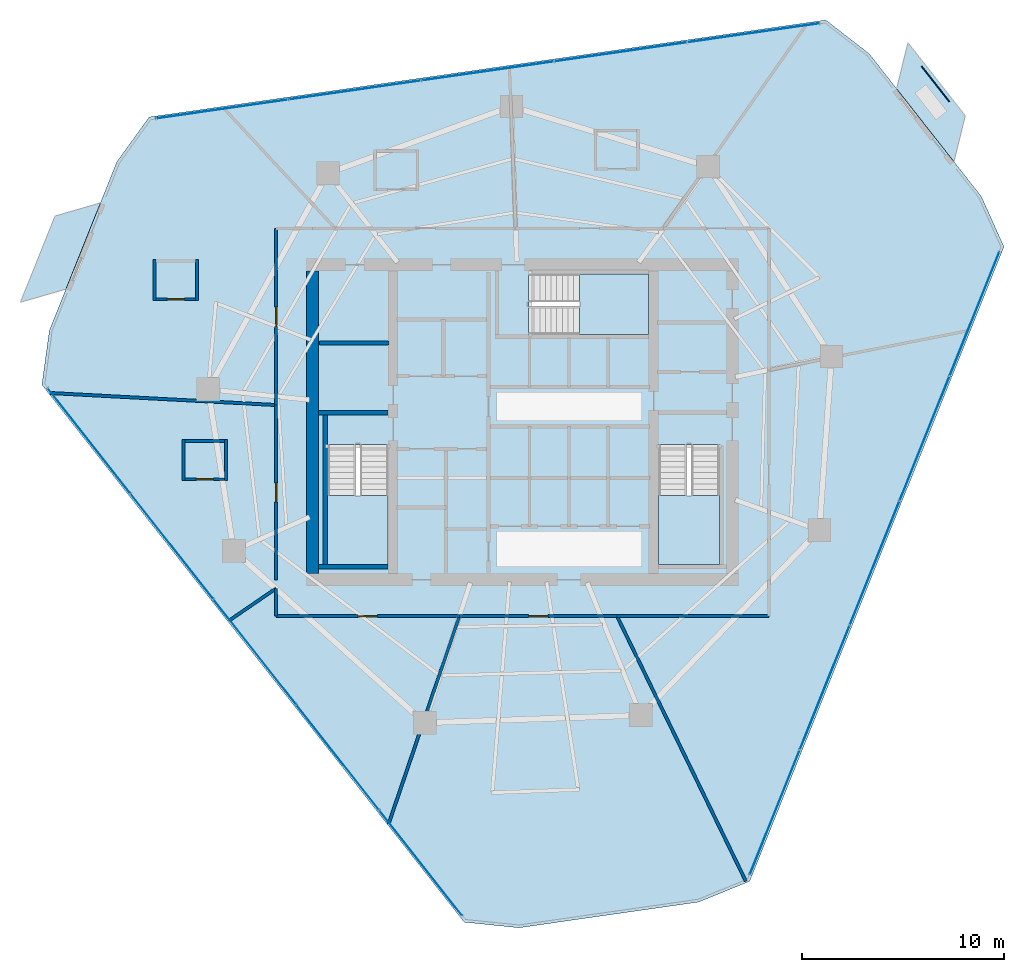
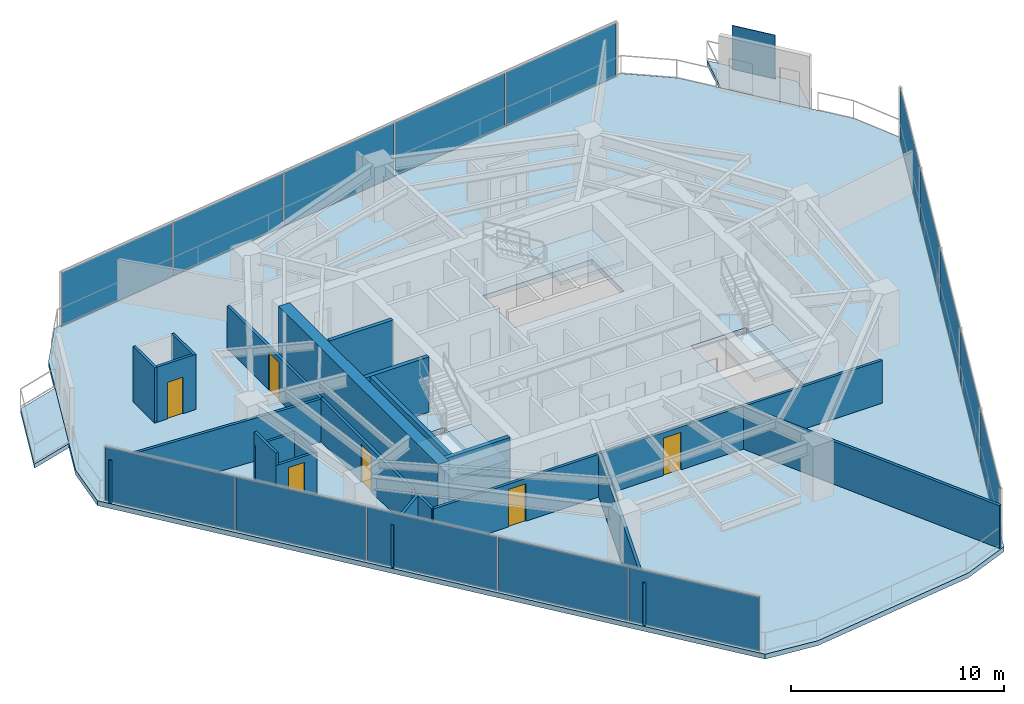
# One storey, part 23 of 29: 22 walls, 16 plates, 6 doors, 6 slabs, 6 openings, 6 elements without a shape of their own.
"""IFC4 building model written with IfcOpenShell, lengths in metres."""

from ifc_helpers import new_model, si_unit, direction, frame, frame_2d, origin, origin_2d, place, context, subcontext, project, spatial, polyline, rectangle, outline, extrude, material, layer, layer_set, type_object, element, fill, aggregate, save


model = new_model("IFC4")

# Units and contexts
model_context = context("Model", 3, precision=1e-05, world=origin(), true_north=direction((0.0, 1.0)))
body_context = subcontext(model_context, "Body", "Model", "MODEL_VIEW")
ifc_project = project(units=[si_unit("LENGTHUNIT", "METRE"), si_unit("AREAUNIT", "SQUARE_METRE"), si_unit("VOLUMEUNIT", "CUBIC_METRE"), si_unit("PLANEANGLEUNIT", "RADIAN"), si_unit("MASSUNIT", "GRAM", prefix="KILO")], contexts=[model_context])

# Site, building, storey
site_placement = place(None, origin())
site = spatial("IfcSite", under=ifc_project, at=site_placement, CompositionType="ELEMENT")
building_placement = place(site_placement, origin())
building = spatial("IfcBuilding", under=site, at=building_placement, Name="Qarnah Convention Tower", CompositionType="ELEMENT")
storey_placement = place(building_placement, frame((0.0, 0.0, 97.050048828125)))
storey = spatial("IfcBuildingStorey", under=building, at=storey_placement, Name="L25", CompositionType="ELEMENT", Elevation=97.050048828125)

# Curtain wall, plates
ifc_material_1 = material(Name="Tempered Low-E dark glass", Category="glass")
ifc_layer_1 = layer(ifc_material_1, 0.169921875)
ifc_layer_set_1 = layer_set([ifc_layer_1], Name="Tempered Low-E dark glass")
curtain_wall_type = type_object("IfcCurtainWallType", Name="CWS-02", PredefinedType="NOTDEFINED", material=ifc_layer_set_1)
curtain_wall_1_placement = place(storey_placement, origin())
curtain_wall_1 = element("IfcCurtainWall", 1, at=curtain_wall_1_placement, inside=storey, type_object=curtain_wall_type, Name="L25 unitised curtain wall CW-L25-F1", PredefinedType="NOTDEFINED")
ifc_layer_2 = layer(ifc_material_1, 0.030029296875)
ifc_layer_set_2 = layer_set([ifc_layer_2], Name="Tempered Low-E dark glass")
plate_type_1 = type_object("IfcPlateType", Name="PNL-T2", PredefinedType="CURTAIN_PANEL", material=ifc_layer_set_2)
plate_1_placement = place(storey_placement, frame((22.322021484375, 41.912841796875, 0.0400390625), z_axis=(0.0, 0.0, 1.0), x_axis=(0.989875972225, 0.141935054203, 0.0)))
plate_1 = element("IfcPlate", 2, at=plate_1_placement, type_object=plate_type_1, Name="CW-L25-F1 curtain panel 1.1", PredefinedType="CURTAIN_PANEL", context=body_context, shape_type="SweptSolid", body=[
    extrude(rectangle(XDim=6.569580078125, YDim=0.030029296875, at=origin_2d()), origin(), (0.0, 0.0, 1.0), 3.090087890625),
])
plate_2_placement = place(storey_placement, frame((28.904296875, 42.856689453125, 0.0400390625), z_axis=(0.0, 0.0, 1.0), x_axis=(0.989875972225, 0.141935054203, 0.0)))
plate_2 = element("IfcPlate", 3, at=plate_2_placement, type_object=plate_type_1, Name="CW-L25-F1 curtain panel 2.1", PredefinedType="CURTAIN_PANEL", context=body_context, shape_type="SweptSolid", body=[
    extrude(rectangle(XDim=6.569580078125, YDim=0.030029296875, at=origin_2d()), origin(), (0.0, 0.0, 1.0), 3.090087890625),
])
plate_3_placement = place(storey_placement, frame((35.486572265625, 43.800537109375, 0.0400390625), z_axis=(0.0, 0.0, 1.0), x_axis=(0.989875972225, 0.141935054203, 0.0)))
plate_3 = element("IfcPlate", 4, at=plate_3_placement, type_object=plate_type_1, Name="CW-L25-F1 curtain panel 3.1", PredefinedType="CURTAIN_PANEL", context=body_context, shape_type="SweptSolid", body=[
    extrude(rectangle(XDim=6.569580078125, YDim=0.030029296875, at=origin_2d()), origin(), (0.0, 0.0, 1.0), 3.090087890625),
])
plate_4_placement = place(storey_placement, frame((42.068603515625, 44.744384765625, 0.0400390625), z_axis=(0.0, 0.0, 1.0), x_axis=(0.989875972225, 0.141935054203, 0.0)))
plate_4 = element("IfcPlate", 5, at=plate_4_placement, type_object=plate_type_1, Name="CW-L25-F1 curtain panel 4.1", PredefinedType="CURTAIN_PANEL", context=body_context, shape_type="SweptSolid", body=[
    extrude(rectangle(XDim=6.569580078125, YDim=0.030029296875, at=origin_2d()), origin(), (0.0, 0.0, 1.0), 3.090087890625),
])
plate_5_placement = place(storey_placement, frame((48.65087890625, 45.68798828125, 0.0400390625), z_axis=(0.0, 0.0, 1.0), x_axis=(0.989875972225, 0.141935054203, 0.0)))
plate_5 = element("IfcPlate", 6, at=plate_5_placement, type_object=plate_type_1, Name="CW-L25-F1 curtain panel 5.1", PredefinedType="CURTAIN_PANEL", context=body_context, shape_type="SweptSolid", body=[
    extrude(rectangle(XDim=6.569580078125, YDim=0.030029296875, at=origin_2d()), origin(), (0.0, 0.0, 1.0), 3.090087890625),
])
aggregate(curtain_wall_1, [plate_1, plate_2, plate_3, plate_4, plate_5])

curtain_wall_2_placement = place(storey_placement, origin())
curtain_wall_2 = element("IfcCurtainWall", 7, at=curtain_wall_2_placement, inside=storey, type_object=curtain_wall_type, Name="L25 unitised curtain wall CW-L25-F2", PredefinedType="NOTDEFINED")
plate_6_placement = place(storey_placement, frame((59.589111328125, 31.766845703125, 0.0400390625), z_axis=(0.0, 0.0, 1.0), x_axis=(-0.37202844102, -0.928221330865, 0.0)))
plate_6 = element("IfcPlate", 8, at=plate_6_placement, type_object=plate_type_1, Name="CW-L25-F2 curtain panel 1.1", PredefinedType="CURTAIN_PANEL", context=body_context, shape_type="SweptSolid", body=[
    extrude(rectangle(XDim=6.569580078125, YDim=0.030029296875, at=origin_2d()), origin(), (0.0, 0.0, 1.0), 3.090087890625),
])
plate_7_placement = place(storey_placement, frame((57.115234375, 25.5947265625, 0.0400390625), z_axis=(0.0, 0.0, 1.0), x_axis=(-0.37202844102, -0.928221330865, 0.0)))
plate_7 = element("IfcPlate", 9, at=plate_7_placement, type_object=plate_type_1, Name="CW-L25-F2 curtain panel 2.1", PredefinedType="CURTAIN_PANEL", context=body_context, shape_type="SweptSolid", body=[
    extrude(rectangle(XDim=6.569580078125, YDim=0.030029296875, at=origin_2d()), origin(), (0.0, 0.0, 1.0), 3.090087890625),
])
plate_8_placement = place(storey_placement, frame((54.6416015625, 19.422607421875, 0.0400390625), z_axis=(0.0, 0.0, 1.0), x_axis=(-0.37202844102, -0.928221330865, 0.0)))
plate_8 = element("IfcPlate", 10, at=plate_8_placement, type_object=plate_type_1, Name="CW-L25-F2 curtain panel 3.1", PredefinedType="CURTAIN_PANEL", context=body_context, shape_type="SweptSolid", body=[
    extrude(rectangle(XDim=6.569580078125, YDim=0.030029296875, at=origin_2d()), origin(), (0.0, 0.0, 1.0), 3.090087890625),
])
plate_9_placement = place(storey_placement, frame((52.167724609375, 13.250244140625, 0.0400390625), z_axis=(0.0, 0.0, 1.0), x_axis=(-0.37202844102, -0.928221330865, 0.0)))
plate_9 = element("IfcPlate", 11, at=plate_9_placement, type_object=plate_type_1, Name="CW-L25-F2 curtain panel 4.1", PredefinedType="CURTAIN_PANEL", context=body_context, shape_type="SweptSolid", body=[
    extrude(rectangle(XDim=6.569580078125, YDim=0.030029296875, at=origin_2d()), origin(), (0.0, 0.0, 1.0), 3.090087890625),
])
plate_10_placement = place(storey_placement, frame((49.69384765625, 7.078125, 0.0400390625), z_axis=(0.0, 0.0, 1.0), x_axis=(-0.37202844102, -0.928221330865, 0.0)))
plate_10 = element("IfcPlate", 12, at=plate_10_placement, type_object=plate_type_1, Name="CW-L25-F2 curtain panel 5.1", PredefinedType="CURTAIN_PANEL", context=body_context, shape_type="SweptSolid", body=[
    extrude(rectangle(XDim=6.569580078125, YDim=0.030029296875, at=origin_2d()), origin(), (0.0, 0.0, 1.0), 3.090087890625),
])
aggregate(curtain_wall_2, [plate_6, plate_7, plate_8, plate_9, plate_10])

curtain_wall_3_placement = place(storey_placement, origin())
curtain_wall_3 = element("IfcCurtainWall", 13, at=curtain_wall_3_placement, inside=storey, type_object=curtain_wall_type, Name="L25 unitised curtain wall CW-L25-F3", PredefinedType="NOTDEFINED")
plate_11_placement = place(storey_placement, frame((32.169921875, 4.566162109375, 0.0400390625), z_axis=(0.0, 0.0, 1.0), x_axis=(-0.617870701473, 0.786279718841, 0.0)))
plate_11 = element("IfcPlate", 14, at=plate_11_placement, type_object=plate_type_1, Name="CW-L25-F3 curtain panel 1.1", PredefinedType="CURTAIN_PANEL", context=body_context, shape_type="SweptSolid", body=[
    extrude(rectangle(XDim=6.5693359375, YDim=0.030029296875, at=origin_2d()), origin(), (0.0, 0.0, 1.0), 3.090087890625),
])
plate_12_placement = place(storey_placement, frame((28.061279296875, 9.794189453125, 0.0400390625), z_axis=(0.0, 0.0, 1.0), x_axis=(-0.617870701473, 0.786279718841, 0.0)))
plate_12 = element("IfcPlate", 15, at=plate_12_placement, type_object=plate_type_1, Name="CW-L25-F3 curtain panel 2.1", PredefinedType="CURTAIN_PANEL", context=body_context, shape_type="SweptSolid", body=[
    extrude(rectangle(XDim=6.5693359375, YDim=0.030029296875, at=origin_2d()), origin(), (0.0, 0.0, 1.0), 3.090087890625),
])
plate_13_placement = place(storey_placement, frame((23.952880859375, 15.0224609375, 0.0400390625), z_axis=(0.0, 0.0, 1.0), x_axis=(-0.617870701473, 0.786279718841, 0.0)))
plate_13 = element("IfcPlate", 16, at=plate_13_placement, type_object=plate_type_1, Name="CW-L25-F3 curtain panel 3.1", PredefinedType="CURTAIN_PANEL", context=body_context, shape_type="SweptSolid", body=[
    extrude(rectangle(XDim=6.5693359375, YDim=0.030029296875, at=origin_2d()), origin(), (0.0, 0.0, 1.0), 3.090087890625),
])
plate_14_placement = place(storey_placement, frame((19.844482421875, 20.250732421875, 0.0400390625), z_axis=(0.0, 0.0, 1.0), x_axis=(-0.617870701473, 0.786279718841, 0.0)))
plate_14 = element("IfcPlate", 17, at=plate_14_placement, type_object=plate_type_1, Name="CW-L25-F3 curtain panel 4.1", PredefinedType="CURTAIN_PANEL", context=body_context, shape_type="SweptSolid", body=[
    extrude(rectangle(XDim=6.5693359375, YDim=0.030029296875, at=origin_2d()), origin(), (0.0, 0.0, 1.0), 3.090087890625),
])
plate_15_placement = place(storey_placement, frame((15.736083984375, 25.47900390625, 0.0400390625), z_axis=(0.0, 0.0, 1.0), x_axis=(-0.617870701473, 0.786279718841, 0.0)))
plate_15 = element("IfcPlate", 18, at=plate_15_placement, type_object=plate_type_1, Name="CW-L25-F3 curtain panel 5.1", PredefinedType="CURTAIN_PANEL", context=body_context, shape_type="SweptSolid", body=[
    extrude(rectangle(XDim=6.5693359375, YDim=0.030029296875, at=origin_2d()), origin(), (0.0, 0.0, 1.0), 3.090087890625),
])
aggregate(curtain_wall_3, [plate_11, plate_12, plate_13, plate_14, plate_15])

# Plate
ifc_material_2 = material(Name="Black anodised aluminium", Category="aluminium")
ifc_layer_3 = layer(ifc_material_2, 0.044921875)
ifc_layer_set_3 = layer_set([ifc_layer_3], Name="Black anodised aluminium")
plate_type_2 = type_object("IfcPlateType", Name="SCR-BAL-18", PredefinedType="USERDEFINED", material=ifc_layer_set_3)
plate_16_placement = place(storey_placement, frame((57.655029296875, 43.155029296875, 0.0), z_axis=(0.0, 0.0, 1.0), x_axis=(0.617830793699, -0.786311077346, 0.0)))
element("IfcPlate", 19, at=plate_16_placement, inside=storey, type_object=plate_type_2, Name="L25 perforated desert solar screen BAL-L25-C1", ObjectType="SCREEN", PredefinedType="USERDEFINED", context=body_context, shape_type="SweptSolid", body=[
    extrude(rectangle(XDim=2.199951171875, YDim=0.044921875, at=origin_2d()), origin(), (0.0, 0.0, 1.0), 2.5),
])

# Slabs
ifc_material_3 = material(Name="Concrete C45/55", Category="concrete")
ifc_layer_4 = layer(ifc_material_3, 0.239990234375)
ifc_layer_set_4 = layer_set([ifc_layer_4], Name="Concrete C45/55")
slab_type_1 = type_object("IfcSlabType", Name="SLB-BAL-240", PredefinedType="USERDEFINED", material=ifc_layer_set_4)
slab_1_placement = place(storey_placement, frame((0.0, 0.0, -0.239990234375)))
element("IfcSlab", 20, at=slab_1_placement, inside=storey, type_object=slab_type_1, Name="L25 cantilevered balcony slab BAL-L25-C1", ObjectType="BALCONY", PredefinedType="USERDEFINED", context=body_context, shape_type="SweptSolid", body=[
    extrude(outline(polyline([(56.291015625, 45.197021484375), (59.133056640625, 41.580078125), (58.572021484375, 39.302001953125), (55.72998046875, 42.9189453125), (56.291015625, 45.197021484375)])), origin(), (0.0, 0.0, 1.0), 0.239990234375),
])
slab_2_placement = place(storey_placement, frame((0.0, 0.0, -0.239990234375)))
element("IfcSlab", 21, at=slab_2_placement, inside=storey, type_object=slab_type_1, Name="L25 cantilevered balcony slab BAL-L25-C2", ObjectType="BALCONY", PredefinedType="USERDEFINED", context=body_context, shape_type="SweptSolid", body=[
    extrude(outline(polyline([(12.341064453125, 32.342041015625), (14.052001953125, 36.611083984375), (16.305908203125, 37.264892578125), (14.593994140625, 32.993896484375), (12.341064453125, 32.342041015625)])), origin(), (0.0, 0.0, 1.0), 0.239990234375),
])

# Stair, slab
ifc_material_4 = material(Name="Concrete C50/60", Category="concrete")
stair_type = type_object("IfcStairType", Name="STR-HTL", PredefinedType="HALF_TURN_STAIR", material=ifc_material_4)
stair_1_placement = place(storey_placement, origin())
stair_1 = element("IfcStair", 22, at=stair_1_placement, inside=storey, type_object=stair_type, Name="L25 Core exit stair ST-1", PredefinedType="HALF_TURN_STAIR")
ifc_layer_5 = layer(ifc_material_4, 0.199951171875)
ifc_layer_set_5 = layer_set([ifc_layer_5], Name="Concrete C50/60")
slab_type_2 = type_object("IfcSlabType", Name="SLB-LANDING-200", PredefinedType="LANDING", material=ifc_layer_set_5)
slab_3_placement = place(storey_placement, frame((0.0, 0.0, 1.52490234375)))
slab_3 = element("IfcSlab", 23, at=slab_3_placement, type_object=slab_type_2, Name="ST-1 landing 1", PredefinedType="LANDING", context=body_context, shape_type="SweptSolid", body=[
    extrude(outline(polyline([(27.550048828125, 22.780029296875), (27.550048828125, 19.35009765625), (30.550048828125, 19.35009765625), (30.550048828125, 22.780029296875), (27.550048828125, 22.780029296875)])), origin(), (0.0, 0.0, 1.0), 0.199951171875),
])
aggregate(stair_1, [slab_3])

stair_2_placement = place(storey_placement, origin())
stair_2 = element("IfcStair", 24, at=stair_2_placement, inside=storey, type_object=stair_type, Name="L25 Core exit stair ST-2", PredefinedType="HALF_TURN_STAIR")
slab_4_placement = place(storey_placement, frame((0.0, 0.0, 1.52490234375)))
slab_4 = element("IfcSlab", 25, at=slab_4_placement, type_object=slab_type_2, Name="ST-2 landing 1", PredefinedType="LANDING", context=body_context, shape_type="SweptSolid", body=[
    extrude(outline(polyline([(43.949951171875, 22.780029296875), (43.949951171875, 19.35009765625), (46.949951171875, 19.35009765625), (46.949951171875, 22.780029296875), (43.949951171875, 22.780029296875)])), origin(), (0.0, 0.0, 1.0), 0.199951171875),
])
aggregate(stair_2, [slab_4])

stair_3_placement = place(storey_placement, origin())
stair_3 = element("IfcStair", 26, at=stair_3_placement, inside=storey, type_object=stair_type, Name="L25 Core exit stair ST-3", PredefinedType="HALF_TURN_STAIR")
slab_5_placement = place(storey_placement, frame((0.0, 0.0, 1.52490234375)))
slab_5 = element("IfcSlab", 27, at=slab_5_placement, type_object=slab_type_2, Name="ST-3 landing 1", PredefinedType="LANDING", context=body_context, shape_type="SweptSolid", body=[
    extrude(outline(polyline([(40.02001953125, 30.75), (43.449951171875, 30.75), (43.449951171875, 33.75), (40.02001953125, 33.75), (40.02001953125, 30.75)])), origin(), (0.0, 0.0, 1.0), 0.199951171875),
])
aggregate(stair_3, [slab_5])

# Slab
ifc_layer_6 = layer(ifc_material_3, 0.280029296875)
ifc_layer_set_6 = layer_set([ifc_layer_6], Name="Concrete C45/55")
slab_type_3 = type_object("IfcSlabType", Name="SLB-TWR-280", PredefinedType="FLOOR", material=ifc_layer_set_6)
slab_6_placement = place(storey_placement, frame((0.0, 0.0, -0.280029296875)))
element("IfcSlab", 28, at=slab_6_placement, inside=storey, type_object=slab_type_3, Name="L25 structural floor slab", PredefinedType="FLOOR", context=body_context, shape_type="SweptSolid", body=[
    extrude(outline(polyline([(52.221923828125, 46.321044921875), (18.717041015625, 41.51708984375), (17.118896484375, 39.303955078125), (13.77392578125, 30.958984375), (13.402099609375, 28.2548828125), (34.31494140625, 1.64208984375), (37.030029296875, 1.364013671875), (45.929931640625, 2.639892578125), (48.45703125, 3.6689453125), (61.049072265625, 35.0869140625), (59.931884765625, 37.577880859375), (54.376953125, 44.64697265625), (52.221923828125, 46.321044921875)]), holes=[polyline([(27.550048828125, 25.300048828125), (27.550048828125, 19.35009765625), (30.550048828125, 19.35009765625), (30.550048828125, 25.300048828125), (27.550048828125, 25.300048828125)]), polyline([(43.949951171875, 25.300048828125), (43.949951171875, 19.35009765625), (46.949951171875, 19.35009765625), (46.949951171875, 25.300048828125), (43.949951171875, 25.300048828125)]), polyline([(37.5, 30.75), (43.449951171875, 30.75), (43.449951171875, 33.75), (37.5, 33.75), (37.5, 30.75)])]), origin(), (0.0, 0.0, 1.0), 0.280029296875),
])

# Walls
ifc_material_5 = material(Name="Concrete C60/75", Category="concrete")
ifc_layer_7 = layer(ifc_material_5, 0.60009765625)
ifc_layer_set_7 = layer_set([ifc_layer_7], Name="Concrete C60/75")
wall_type_1 = type_object("IfcWallType", Name="WL-CORE-600", PredefinedType="SHEAR", material=ifc_layer_set_7)
wall_1_placement = place(storey_placement, frame((26.800048828125, 18.89990234375, 0.0), z_axis=(0.0, 0.0, 1.0), x_axis=(0.0, 1.0, 0.0)))
element("IfcWall", 29, at=wall_1_placement, inside=storey, type_object=wall_type_1, Name="L25 core west shear wall", PredefinedType="SHEAR", context=body_context, shape_type="SweptSolid", body=[
    extrude(rectangle(XDim=15.0, YDim=0.60009765625, at=frame_2d((7.5, 0.0))), origin(), (0.0, 0.0, 1.0), 3.169921875),
])
ifc_layer_8 = layer(ifc_material_3, 0.199951171875)
ifc_layer_set_8 = layer_set([ifc_layer_8], Name="Concrete C45/55")
wall_type_2 = type_object("IfcWallType", Name="WL-CORE-PART-200", PredefinedType="SOLIDWALL", material=ifc_layer_set_8)
wall_2_placement = place(storey_placement, frame((27.14990234375, 30.320068359375, 0.0), z_axis=(0.0, 0.0, 1.0), x_axis=(1.0, 0.0, 0.0)))
element("IfcWall", 30, at=wall_2_placement, inside=storey, type_object=wall_type_2, Name="L25 interior wall IW-L25-ELRN", PredefinedType="SOLIDWALL", context=body_context, shape_type="SweptSolid", body=[
    extrude(rectangle(XDim=3.4501953125, YDim=0.199951171875, at=frame_2d((1.72509765625, 0.0))), origin(), (0.0, 0.0, 1.0), 3.169921875),
])
ifc_layer_9 = layer(ifc_material_5, 0.219970703125)
ifc_layer_set_9 = layer_set([ifc_layer_9], Name="Concrete C60/75")
wall_type_3 = type_object("IfcWallType", Name="WL-CORE-STAIR-220", PredefinedType="SHEAR", material=ifc_layer_set_9)
wall_3_placement = place(storey_placement, frame((27.10009765625, 26.860107421875, 0.0), z_axis=(0.0, 0.0, 1.0), x_axis=(1.0, 0.0, 0.0)))
element("IfcWall", 31, at=wall_3_placement, inside=storey, type_object=wall_type_3, Name="L25 stair shaft shear wall SW-L25-ST1N", PredefinedType="SHEAR", context=body_context, shape_type="SweptSolid", body=[
    extrude(rectangle(XDim=3.449951171875, YDim=0.219970703125, at=frame_2d((1.72509765625, 0.0))), origin(), (0.0, 0.0, 1.0), 3.169921875),
])
wall_4_placement = place(storey_placement, frame((27.43994140625, 19.35009765625, 0.0), z_axis=(0.0, 0.0, 1.0), x_axis=(0.0, 1.0, 0.0)))
element("IfcWall", 32, at=wall_4_placement, inside=storey, type_object=wall_type_3, Name="L25 stair shaft shear wall SW-L25-ST1W", PredefinedType="SHEAR", context=body_context, shape_type="SweptSolid", body=[
    extrude(rectangle(XDim=7.39990234375, YDim=0.219970703125, at=frame_2d((3.699951171875, 0.0))), origin(), (0.0, 0.0, 1.0), 3.169921875),
])
wall_5_placement = place(storey_placement, frame((27.10009765625, 19.239990234375, 0.0), z_axis=(0.0, 0.0, 1.0), x_axis=(1.0, 0.0, 0.0)))
element("IfcWall", 33, at=wall_5_placement, inside=storey, type_object=wall_type_3, Name="L25 stair shaft shear wall SW-L25-ST1S", PredefinedType="SHEAR", context=body_context, shape_type="SweptSolid", body=[
    extrude(rectangle(XDim=3.449951171875, YDim=0.219970703125, at=frame_2d((1.72509765625, 0.0))), origin(), (0.0, 0.0, 1.0), 3.169921875),
])
ifc_material_6 = material(Name="Gypsum partition board")
ifc_layer_10 = layer(ifc_material_6, 0.14990234375)
ifc_layer_set_10 = layer_set([ifc_layer_10], Name="Gypsum partition board")
wall_type_4 = type_object("IfcWallType", Name="WL-SUITE-150", PredefinedType="PARTITIONING", material=ifc_layer_set_10)
wall_6_placement = place(storey_placement, frame((13.797119140625, 27.84912109375, 0.0), z_axis=(0.0, 0.0, 1.0), x_axis=(0.998586939661, -0.053142487124, 0.0)))
element("IfcWall", 34, at=wall_6_placement, inside=storey, type_object=wall_type_4, Name="L25 interior wall IW-L25-R-26", PredefinedType="PARTITIONING", context=body_context, shape_type="SweptSolid", body=[
    extrude(rectangle(XDim=11.21875, YDim=0.14990234375, at=frame_2d((5.609375, 0.0))), origin(), (0.0, 0.0, 1.0), 2.454833984375),
])

# Wall, opening, door
wall_7_placement = place(storey_placement, frame((25.0, 27.2529296875, 0.0), z_axis=(0.0, 0.0, 1.0), x_axis=(0.0, 1.0, 0.0)))
wall_7 = element("IfcWall", 35, at=wall_7_placement, inside=storey, type_object=wall_type_4, Name="L25 interior wall IW-L25-R-27", PredefinedType="PARTITIONING", context=body_context, shape_type="SweptSolid", body=[
    extrude(rectangle(XDim=8.7470703125, YDim=0.14990234375, at=frame_2d((4.37353515625, 0.0))), origin(), (0.0, 0.0, 1.0), 2.454833984375),
])
opening_1_placement = place(wall_7_placement, frame((3.89794921875, 0.0, 0.0)))
opening_1 = element("IfcOpeningElement", 36, at=opening_1_placement, cuts=wall_7, Name="Opening D-2521", PredefinedType="OPENING", context=body_context, shape_type="SweptSolid", body=[
    extrude(rectangle(XDim=0.949951171875, YDim=2.14990234375, at=frame_2d((0.47509765625, 1.074951171875))), frame((0.0, 0.0849609375, 0.0), z_axis=(0.0, -1.0, 0.0), x_axis=(1.0, 0.0, 0.0)), (0.0, 0.0, 1.0), 0.169921875),
])
ifc_material_7 = material(Name="Oak timber veneer", Category="wood")
door_type_1 = type_object("IfcDoorType", Name="DT-HOTEL-950", OperationType="NOTDEFINED", PredefinedType="DOOR", material=ifc_material_7)
door_1_placement = place(opening_1_placement, origin())
door_1 = element("IfcDoor", 37, at=door_1_placement, inside=storey, type_object=door_type_1, Name="Door D-2521", OperationType="SINGLE_SWING_LEFT", OverallHeight=2.14990234375, OverallWidth=0.949951171875, PredefinedType="DOOR", context=body_context, shape_type="SweptSolid", body=[
    extrude(rectangle(XDim=0.949951171875, YDim=2.14990234375, at=frame_2d((0.47509765625, 1.074951171875))), frame((0.0, 0.02490234375, 0.0), z_axis=(0.0, -1.0, 0.0), x_axis=(1.0, 0.0, 0.0)), (0.0, 0.0, 1.0), 0.050048828125),
])
fill(opening_1, door_1)

# Wall
wall_8_placement = place(storey_placement, frame((22.677978515625, 16.580078125, 0.0), z_axis=(0.0, 0.0, 1.0), x_axis=(0.824964576365, 0.565184436925, 0.0)))
element("IfcWall", 38, at=wall_8_placement, inside=storey, type_object=wall_type_4, Name="L25 interior wall IW-L25-R-30", PredefinedType="PARTITIONING", context=body_context, shape_type="SweptSolid", body=[
    extrude(rectangle(XDim=2.814697265625, YDim=0.14990234375, at=frame_2d((1.4072265625, 0.0))), origin(), (0.0, 0.0, 1.0), 2.454833984375),
])

# Wall, opening, door
wall_9_placement = place(storey_placement, frame((25.0, 18.60009765625, 0.0), z_axis=(0.0, 0.0, 1.0), x_axis=(0.0, 1.0, 0.0)))
wall_9 = element("IfcWall", 39, at=wall_9_placement, inside=storey, type_object=wall_type_4, Name="L25 interior wall IW-L25-R-31", PredefinedType="PARTITIONING", context=body_context, shape_type="SweptSolid", body=[
    extrude(rectangle(XDim=8.65283203125, YDim=0.14990234375, at=frame_2d((4.326416015625, 0.0))), origin(), (0.0, 0.0, 1.0), 2.467041015625),
])
opening_2_placement = place(wall_9_placement, frame((3.85107421875, 0.0, 0.0)))
opening_2 = element("IfcOpeningElement", 40, at=opening_2_placement, cuts=wall_9, Name="Opening D-2523", PredefinedType="OPENING", context=body_context, shape_type="SweptSolid", body=[
    extrude(rectangle(XDim=0.949951171875, YDim=2.14990234375, at=frame_2d((0.47509765625, 1.074951171875))), frame((0.0, 0.0849609375, 0.0), z_axis=(0.0, -1.0, 0.0), x_axis=(1.0, 0.0, 0.0)), (0.0, 0.0, 1.0), 0.169921875),
])
door_2_placement = place(opening_2_placement, origin())
door_2 = element("IfcDoor", 41, at=door_2_placement, inside=storey, type_object=door_type_1, Name="Door D-2523", OperationType="SINGLE_SWING_LEFT", OverallHeight=2.14990234375, OverallWidth=0.949951171875, PredefinedType="DOOR", context=body_context, shape_type="SweptSolid", body=[
    extrude(rectangle(XDim=0.949951171875, YDim=2.14990234375, at=frame_2d((0.47509765625, 1.074951171875))), frame((0.0, 0.02490234375, 0.0), z_axis=(0.0, -1.0, 0.0), x_axis=(1.0, 0.0, 0.0)), (0.0, 0.0, 1.0), 0.050048828125),
])
fill(opening_2, door_2)

# Wall
wall_10_placement = place(storey_placement, frame((30.573974609375, 6.510986328125, 0.0), z_axis=(0.0, 0.0, 1.0), x_axis=(0.322628198106, 0.94652577661, 0.0)))
element("IfcWall", 42, at=wall_10_placement, inside=storey, type_object=wall_type_4, Name="L25 interior wall IW-L25-R-32", PredefinedType="PARTITIONING", context=body_context, shape_type="SweptSolid", body=[
    extrude(rectangle(XDim=10.870361328125, YDim=0.14990234375, at=frame_2d((5.43505859375, 0.0))), origin(), (0.0, 0.0, 1.0), 2.467041015625),
])

# Wall, opening, door
wall_11_placement = place(storey_placement, frame((34.0810546875, 16.800048828125, 0.0), z_axis=(0.0, 0.0, 1.0), x_axis=(-1.0, 0.0, 0.0)))
wall_11 = element("IfcWall", 43, at=wall_11_placement, inside=storey, type_object=wall_type_4, Name="L25 interior wall IW-L25-R-33", PredefinedType="PARTITIONING", context=body_context, shape_type="SweptSolid", body=[
    extrude(rectangle(XDim=9.0810546875, YDim=0.14990234375, at=frame_2d((4.54052734375, 0.0))), origin(), (0.0, 0.0, 1.0), 2.454833984375),
])
opening_3_placement = place(wall_11_placement, frame((4.06591796875, 0.0, 0.0)))
opening_3 = element("IfcOpeningElement", 44, at=opening_3_placement, cuts=wall_11, Name="Opening D-2525", PredefinedType="OPENING", context=body_context, shape_type="SweptSolid", body=[
    extrude(rectangle(XDim=0.949951171875, YDim=2.14990234375, at=frame_2d((0.47509765625, 1.074951171875))), frame((0.0, 0.0849609375, 0.0), z_axis=(0.0, -1.0, 0.0), x_axis=(1.0, 0.0, 0.0)), (0.0, 0.0, 1.0), 0.169921875),
])
door_3_placement = place(opening_3_placement, origin())
door_3 = element("IfcDoor", 45, at=door_3_placement, inside=storey, type_object=door_type_1, Name="Door D-2525", OperationType="SINGLE_SWING_LEFT", OverallHeight=2.14990234375, OverallWidth=0.949951171875, PredefinedType="DOOR", context=body_context, shape_type="SweptSolid", body=[
    extrude(rectangle(XDim=0.949951171875, YDim=2.14990234375, at=frame_2d((0.47509765625, 1.074951171875))), frame((0.0, 0.02490234375, 0.0), z_axis=(0.0, -1.0, 0.0), x_axis=(1.0, 0.0, 0.0)), (0.0, 0.0, 1.0), 0.050048828125),
])
fill(opening_3, door_3)

# Walls
wall_12_placement = place(storey_placement, frame((25.0, 16.800048828125, 0.0), z_axis=(0.0, 0.0, 1.0), x_axis=(0.0, 1.0, 0.0)))
element("IfcWall", 46, at=wall_12_placement, inside=storey, type_object=wall_type_4, Name="L25 interior wall IW-L25-R-34", PredefinedType="PARTITIONING", context=body_context, shape_type="SweptSolid", body=[
    extrude(rectangle(XDim=1.370849609375, YDim=0.14990234375, at=frame_2d((0.685546875, 0.0))), origin(), (0.0, 0.0, 1.0), 2.454833984375),
])
wall_13_placement = place(storey_placement, frame((48.261962890625, 3.676025390625, 0.0), z_axis=(0.0, 0.0, 1.0), x_axis=(-0.437200976814, 0.899363833981, 0.0)))
element("IfcWall", 47, at=wall_13_placement, inside=storey, type_object=wall_type_4, Name="L25 interior wall IW-L25-R-35", PredefinedType="PARTITIONING", context=body_context, shape_type="SweptSolid", body=[
    extrude(rectangle(XDim=14.592529296875, YDim=0.14990234375, at=frame_2d((7.29638671875, 0.0))), origin(), (0.0, 0.0, 1.0), 2.454833984375),
])

# Wall, opening, door
wall_14_placement = place(storey_placement, frame((41.882080078125, 16.800048828125, 0.0), z_axis=(0.0, 0.0, 1.0), x_axis=(-1.0, 0.0, 0.0)))
wall_14 = element("IfcWall", 48, at=wall_14_placement, inside=storey, type_object=wall_type_4, Name="L25 interior wall IW-L25-R-36", PredefinedType="PARTITIONING", context=body_context, shape_type="SweptSolid", body=[
    extrude(rectangle(XDim=7.801025390625, YDim=0.14990234375, at=frame_2d((3.900390625, 0.0))), origin(), (0.0, 0.0, 1.0), 2.467041015625),
])
opening_4_placement = place(wall_14_placement, frame((3.425048828125, 0.0, 0.0)))
opening_4 = element("IfcOpeningElement", 49, at=opening_4_placement, cuts=wall_14, Name="Opening D-2526", PredefinedType="OPENING", context=body_context, shape_type="SweptSolid", body=[
    extrude(rectangle(XDim=0.949951171875, YDim=2.14990234375, at=frame_2d((0.47509765625, 1.074951171875))), frame((0.0, 0.0849609375, 0.0), z_axis=(0.0, -1.0, 0.0), x_axis=(1.0, 0.0, 0.0)), (0.0, 0.0, 1.0), 0.169921875),
])
door_4_placement = place(opening_4_placement, origin())
door_4 = element("IfcDoor", 50, at=door_4_placement, inside=storey, type_object=door_type_1, Name="Door D-2526", OperationType="SINGLE_SWING_RIGHT", OverallHeight=2.14990234375, OverallWidth=0.949951171875, PredefinedType="DOOR", context=body_context, shape_type="SweptSolid", body=[
    extrude(rectangle(XDim=0.949951171875, YDim=2.14990234375, at=frame_2d((0.47509765625, 1.074951171875))), frame((0.0, 0.02490234375, 0.0), z_axis=(0.0, -1.0, 0.0), x_axis=(1.0, 0.0, 0.0)), (0.0, 0.0, 1.0), 0.050048828125),
])
fill(opening_4, door_4)

# Wall
wall_15_placement = place(storey_placement, frame((49.39990234375, 16.800048828125, 0.0), z_axis=(0.0, 0.0, 1.0), x_axis=(-1.0, 0.0, 0.0)))
element("IfcWall", 51, at=wall_15_placement, inside=storey, type_object=wall_type_4, Name="L25 interior wall IW-L25-R-39", PredefinedType="PARTITIONING", context=body_context, shape_type="SweptSolid", body=[
    extrude(rectangle(XDim=7.517822265625, YDim=0.14990234375, at=frame_2d((3.7587890625, 0.0))), origin(), (0.0, 0.0, 1.0), 2.454833984375),
])

# Wall, opening, door
ifc_layer_11 = layer(ifc_material_6, 0.139892578125)
ifc_layer_set_11 = layer_set([ifc_layer_11], Name="Gypsum partition board")
wall_type_5 = type_object("IfcWallType", Name="WL-WET-140", PredefinedType="PARTITIONING", material=ifc_layer_set_11)
wall_16_placement = place(storey_placement, frame((18.916015625, 32.492919921875, 0.0), z_axis=(0.0, 0.0, 1.0), x_axis=(1.0, 0.0, 0.0)))
wall_16 = element("IfcWall", 52, at=wall_16_placement, inside=storey, type_object=wall_type_5, Name="L25 interior wall IW-L25-ENS03-1", PredefinedType="PARTITIONING", context=body_context, shape_type="SweptSolid", body=[
    extrude(rectangle(XDim=2.239990234375, YDim=0.139892578125, at=frame_2d((1.1201171875, 0.0))), origin(), (0.0, 0.0, 1.0), 3.169921875),
])
opening_5_placement = place(wall_16_placement, frame((0.695068359375, 0.0, 0.0)))
opening_5 = element("IfcOpeningElement", 53, at=opening_5_placement, cuts=wall_16, Name="Opening D-2522", PredefinedType="OPENING", context=body_context, shape_type="SweptSolid", body=[
    extrude(rectangle(XDim=0.85009765625, YDim=2.10009765625, at=frame_2d((0.425048828125, 1.050048828125))), frame((0.0, 0.079833984375, 0.0), z_axis=(0.0, -1.0, 0.0), x_axis=(1.0, 0.0, 0.0)), (0.0, 0.0, 1.0), 0.159912109375),
])
door_type_2 = type_object("IfcDoorType", Name="DT-BATH-850", OperationType="NOTDEFINED", PredefinedType="DOOR", material=ifc_material_7)
door_5_placement = place(opening_5_placement, origin())
door_5 = element("IfcDoor", 54, at=door_5_placement, inside=storey, type_object=door_type_2, Name="Door D-2522", OperationType="SINGLE_SWING_RIGHT", OverallHeight=2.10009765625, OverallWidth=0.85009765625, PredefinedType="DOOR", context=body_context, shape_type="SweptSolid", body=[
    extrude(rectangle(XDim=0.85009765625, YDim=2.10009765625, at=frame_2d((0.425048828125, 1.050048828125))), frame((0.0, 0.02490234375, 0.0), z_axis=(0.0, -1.0, 0.0), x_axis=(1.0, 0.0, 0.0)), (0.0, 0.0, 1.0), 0.050048828125),
])
fill(opening_5, door_5)

# Walls
for number, where, z_axis, x_axis, name in (
    (55, (21.0859375, 32.423095703125, 0.0), (0.0, 0.0, 1.0), (0.0, 1.0, 0.0), "L25 interior wall IW-L25-ENS03-2"),
    (56, (18.986083984375, 34.462890625, 0.0), (0.0, 0.0, 1.0), (0.0, -1.0, 0.0), "L25 interior wall IW-L25-ENS03-4"),
):
    element("IfcWall", number, at=place(storey_placement, frame(where, z_axis=z_axis, x_axis=x_axis)), inside=storey, type_object=wall_type_5, Name=name, PredefinedType="PARTITIONING", context=body_context, shape_type="SweptSolid", body=[
        extrude(rectangle(XDim=2.039794921875, YDim=0.139892578125, at=frame_2d((1.02001953125, 0.0))), origin(), (0.0, 0.0, 1.0), 3.169921875),
    ])

# Wall, opening, door
wall_17_placement = place(storey_placement, frame((20.35302734375, 23.576904296875, 0.0), z_axis=(0.0, 0.0, 1.0), x_axis=(1.0, 0.0, 0.0)))
wall_17 = element("IfcWall", 57, at=wall_17_placement, inside=storey, type_object=wall_type_5, Name="L25 interior wall IW-L25-ENS04-1", PredefinedType="PARTITIONING", context=body_context, shape_type="SweptSolid", body=[
    extrude(rectangle(XDim=2.239990234375, YDim=0.139892578125, at=frame_2d((1.1201171875, 0.0))), origin(), (0.0, 0.0, 1.0), 2.454833984375),
])
opening_6_placement = place(wall_17_placement, frame((0.695068359375, 0.0, 0.0)))
opening_6 = element("IfcOpeningElement", 58, at=opening_6_placement, cuts=wall_17, Name="Opening D-2524", PredefinedType="OPENING", context=body_context, shape_type="SweptSolid", body=[
    extrude(rectangle(XDim=0.85009765625, YDim=2.10009765625, at=frame_2d((0.425048828125, 1.050048828125))), frame((0.0, 0.079833984375, 0.0), z_axis=(0.0, -1.0, 0.0), x_axis=(1.0, 0.0, 0.0)), (0.0, 0.0, 1.0), 0.159912109375),
])
door_6_placement = place(opening_6_placement, origin())
door_6 = element("IfcDoor", 59, at=door_6_placement, inside=storey, type_object=door_type_2, Name="Door D-2524", OperationType="SINGLE_SWING_RIGHT", OverallHeight=2.10009765625, OverallWidth=0.85009765625, PredefinedType="DOOR", context=body_context, shape_type="SweptSolid", body=[
    extrude(rectangle(XDim=0.85009765625, YDim=2.10009765625, at=frame_2d((0.425048828125, 1.050048828125))), frame((0.0, 0.02490234375, 0.0), z_axis=(0.0, -1.0, 0.0), x_axis=(1.0, 0.0, 0.0)), (0.0, 0.0, 1.0), 0.050048828125),
])
fill(opening_6, door_6)

# Walls
wall_18_placement = place(storey_placement, frame((22.52294921875, 23.507080078125, 0.0), z_axis=(0.0, 0.0, 1.0), x_axis=(0.0, 1.0, 0.0)))
element("IfcWall", 60, at=wall_18_placement, inside=storey, type_object=wall_type_5, Name="L25 interior wall IW-L25-ENS04-2", PredefinedType="PARTITIONING", context=body_context, shape_type="SweptSolid", body=[
    extrude(rectangle(XDim=2.0400390625, YDim=0.139892578125, at=frame_2d((1.02001953125, 0.0))), origin(), (0.0, 0.0, 1.0), 2.454833984375),
])
wall_19_placement = place(storey_placement, frame((22.593017578125, 25.47705078125, 0.0), z_axis=(0.0, 0.0, 1.0), x_axis=(-1.0, 0.0, 0.0)))
element("IfcWall", 61, at=wall_19_placement, inside=storey, type_object=wall_type_5, Name="L25 interior wall IW-L25-ENS04-3", PredefinedType="PARTITIONING", context=body_context, shape_type="SweptSolid", body=[
    extrude(rectangle(XDim=2.239990234375, YDim=0.139892578125, at=frame_2d((1.1201171875, 0.0))), origin(), (0.0, 0.0, 1.0), 2.454833984375),
])
wall_20_placement = place(storey_placement, frame((20.423095703125, 25.547119140625, 0.0), z_axis=(0.0, 0.0, 1.0), x_axis=(0.0, -1.0, 0.0)))
element("IfcWall", 62, at=wall_20_placement, inside=storey, type_object=wall_type_5, Name="L25 interior wall IW-L25-ENS04-4", PredefinedType="PARTITIONING", context=body_context, shape_type="SweptSolid", body=[
    extrude(rectangle(XDim=2.0400390625, YDim=0.139892578125, at=frame_2d((1.02001953125, 0.0))), origin(), (0.0, 0.0, 1.0), 3.169921875),
])

save(model, "model.ifc")
